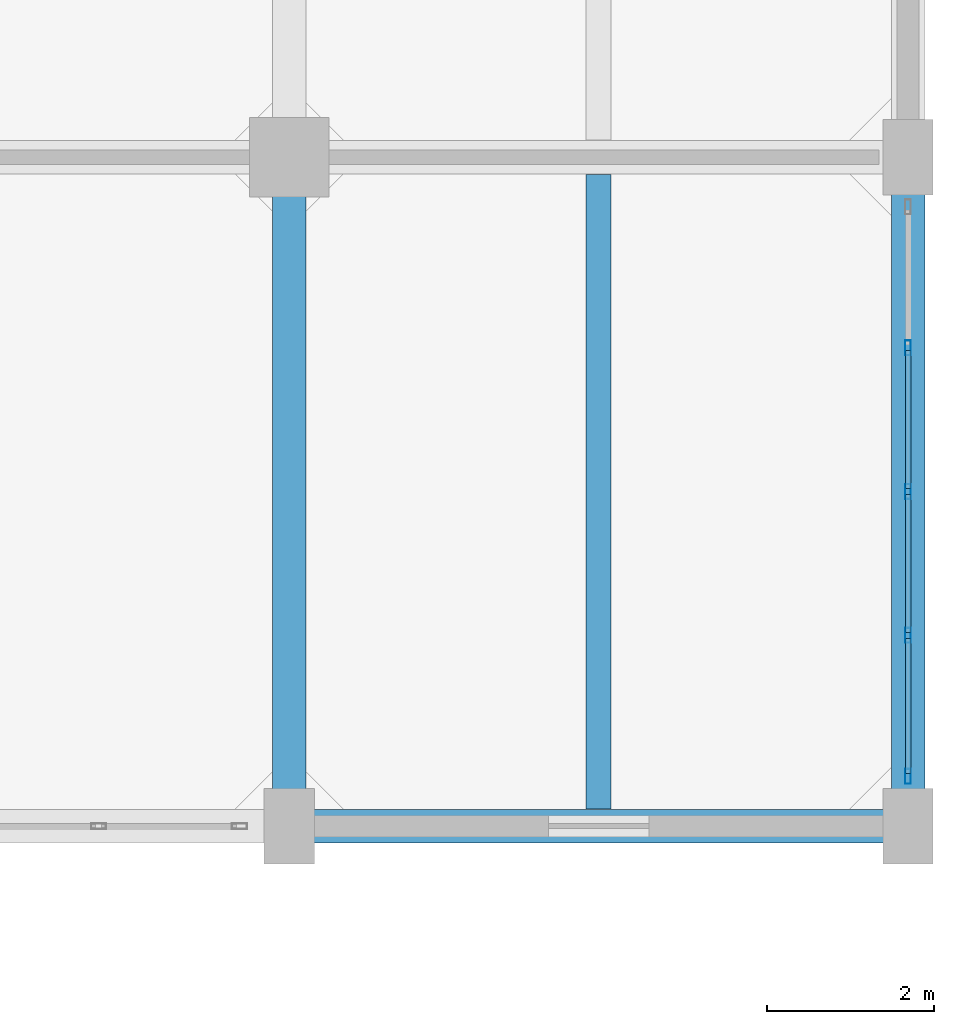
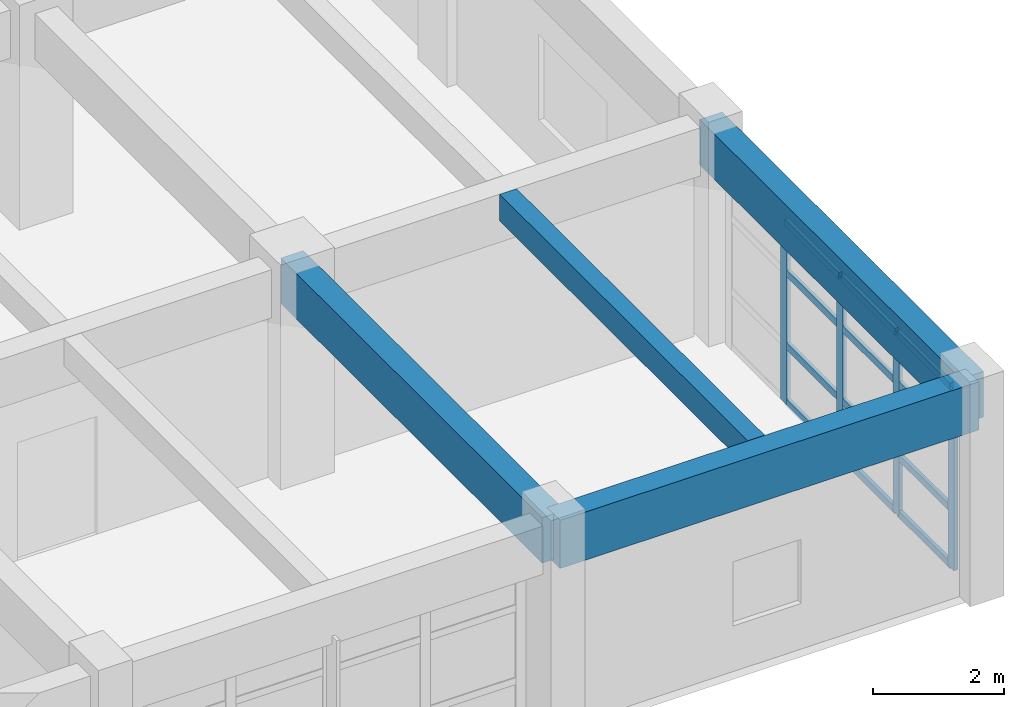
# One storey, part 13 of 35: 16 members, 4 beams, 1 element without a shape of its own.
"""IFC4 building model written with IfcOpenShell, lengths in metres."""

from ifc_helpers import new_model, si_unit, direction, frame, origin, origin_2d, place, context, subcontext, project, spatial, rectangle, hollow_rectangle, extrude, material, layer, layer_set, material_profile, profile_set, type_object, element, aggregate, save


model = new_model("IFC4")

# Units and contexts
model_context = context("Model", 3, precision=1e-05, world=origin(), true_north=direction((0.0, 1.0)))
body_context = subcontext(model_context, "Body", "Model", "MODEL_VIEW")
ifc_project = project(units=[si_unit("LENGTHUNIT", "METRE"), si_unit("AREAUNIT", "SQUARE_METRE"), si_unit("VOLUMEUNIT", "CUBIC_METRE"), si_unit("PLANEANGLEUNIT", "RADIAN"), si_unit("MASSUNIT", "GRAM", prefix="KILO")], contexts=[model_context])

# Site, building, storey
site_placement = place(None, origin())
site = spatial("IfcSite", under=ifc_project, at=site_placement, CompositionType="ELEMENT")
building_placement = place(site_placement, origin())
building = spatial("IfcBuilding", under=site, at=building_placement, Name="Canggui Botanical Conservatory", CompositionType="ELEMENT")
storey_placement = place(building_placement, frame((0.0, 0.0, 15.0)))
storey = spatial("IfcBuildingStorey", under=building, at=storey_placement, Name="L04", CompositionType="ELEMENT", Elevation=15.0)

# Beams
ifc_material_1 = material(Name="Concrete C35", Category="concrete")
ifc_material_profile_1 = material_profile(ifc_material_1, rectangle(XDim=0.300048828125, YDim=0.5, at=origin_2d()), Name="RB 300x500")
ifc_profile_set_1 = profile_set([ifc_material_profile_1], Name="Concrete C35")
beam_type_1 = type_object("IfcBeamType", Name="BM-JST02", PredefinedType="JOIST", material=ifc_profile_set_1)
beam_1_placement = place(storey_placement, frame((173.699951171875, 26.205078125, 3.699951171875), z_axis=(0.0, 1.0, 0.0), x_axis=(-1.0, 0.0, 0.0)))
element("IfcBeam", 1, at=beam_1_placement, inside=storey, type_object=beam_type_1, Name="Secondary Floor Joist L04-5-1", PredefinedType="JOIST", context=body_context, shape_type="SweptSolid", body=[
    extrude(rectangle(XDim=0.300048828125, YDim=0.5, at=origin_2d()), origin(), (0.0, 0.0, 1.0), 7.58984375),
])
ifc_material_profile_2 = material_profile(ifc_material_1, rectangle(XDim=0.39990234375, YDim=0.89990234375, at=origin_2d()), Name="RB 400x900")
ifc_profile_set_2 = profile_set([ifc_material_profile_2], Name="Concrete C35")
beam_type_2 = type_object("IfcBeamType", Name="BM-KL07", PredefinedType="BEAM", material=ifc_profile_set_2)
beam_2_placement = place(storey_placement, frame((170.0, 26.0, 3.5), z_axis=(1.0, 0.0, 0.0), x_axis=(0.0, 1.0, 0.0)))
element("IfcBeam", 2, at=beam_2_placement, inside=storey, type_object=beam_type_2, Name="Frame Girder L04 Y26-5", PredefinedType="BEAM", context=body_context, shape_type="SweptSolid", body=[
    extrude(rectangle(XDim=0.39990234375, YDim=0.89990234375, at=origin_2d()), origin(), (0.0, 0.0, 1.0), 7.39990234375),
])
ifc_material_profile_3 = material_profile(ifc_material_1, rectangle(XDim=0.39990234375, YDim=0.85009765625, at=origin_2d()), Name="RB 400x850")
ifc_profile_set_3 = profile_set([ifc_material_profile_3], Name="Concrete C35")
beam_type_3 = type_object("IfcBeamType", Name="BM-KL08", PredefinedType="BEAM", material=ifc_profile_set_3)
for number, where, z_axis, x_axis, name in (
    (3, (170.0, 26.0, 3.52490234375), (0.0, 1.0, 0.0), (-1.0, 0.0, 0.0), "Frame Girder L04 X170-1"),
    (4, (177.39990234375, 26.0, 3.52490234375), (0.0, 1.0, 0.0), (-1.0, 0.0, 0.0), "Frame Girder L04 X178-1"),
):
    element("IfcBeam", number, at=place(storey_placement, frame(where, z_axis=z_axis, x_axis=x_axis)), inside=storey, type_object=beam_type_3, Name=name, PredefinedType="BEAM", context=body_context, shape_type="SweptSolid", body=[
        extrude(rectangle(XDim=0.39990234375, YDim=0.85009765625, at=origin_2d()), origin(), (0.0, 0.0, 1.0), 8.0),
    ])

# Curtain wall, members
ifc_material_2 = material(Name="Thermally Broken Aluminium", Category="aluminium")
ifc_layer = layer(ifc_material_2, 0.179931640625, Name="Thermally Broken Aluminium", Category="aluminium")
ifc_layer_set = layer_set([ifc_layer], Name="Thermally Broken Aluminium")
curtain_wall_type = type_object("IfcCurtainWallType", Name="CW-UNIT-A", PredefinedType="USERDEFINED", material=ifc_layer_set)
curtain_wall_placement = place(storey_placement, origin())
curtain_wall = element("IfcCurtainWall", 5, at=curtain_wall_placement, inside=storey, type_object=curtain_wall_type, Name="Facade Curtain Wall CW-TWR-L04-24", ObjectType="UNITISED CURTAIN WALL", PredefinedType="USERDEFINED")
ifc_material_profile_4 = material_profile(ifc_material_2, hollow_rectangle(XDim=0.070068359375, YDim=0.179931640625, WallThickness=0.00390625, at=origin_2d()), Name="CWM 70x180x4")
ifc_profile_set_4 = profile_set([ifc_material_profile_4], Name="Thermally Broken Aluminium")
member_type_1 = type_object("IfcMemberType", Name="CWM-01", PredefinedType="MULLION", material=ifc_profile_set_4)
member_1_placement = place(storey_placement, frame((177.39990234375, 31.719970703125, 0.0), z_axis=(0.0, 0.0, 1.0), x_axis=(1.0, 0.0, 0.0)))
member_1 = element("IfcMember", 6, at=member_1_placement, type_object=member_type_1, Name="CW-01 mullion 2", PredefinedType="MULLION", context=body_context, shape_type="SweptSolid", body=[
    extrude(hollow_rectangle(XDim=0.070068359375, YDim=0.179931640625, WallThickness=0.00390625, at=origin_2d()), origin(), (0.0, 0.0, 1.0), 3.39990234375),
])
member_2_placement = place(storey_placement, frame((177.39990234375, 30.0, 0.0), z_axis=(0.0, 0.0, 1.0), x_axis=(1.0, 0.0, 0.0)))
member_2 = element("IfcMember", 7, at=member_2_placement, type_object=member_type_1, Name="CW-01 mullion 3", PredefinedType="MULLION", context=body_context, shape_type="SweptSolid", body=[
    extrude(hollow_rectangle(XDim=0.070068359375, YDim=0.179931640625, WallThickness=0.00390625, at=origin_2d()), origin(), (0.0, 0.0, 1.0), 3.39990234375),
])
member_3_placement = place(storey_placement, frame((177.39990234375, 28.280029296875, 0.0), z_axis=(0.0, 0.0, 1.0), x_axis=(1.0, 0.0, 0.0)))
member_3 = element("IfcMember", 8, at=member_3_placement, type_object=member_type_1, Name="CW-01 mullion 4", PredefinedType="MULLION", context=body_context, shape_type="SweptSolid", body=[
    extrude(hollow_rectangle(XDim=0.070068359375, YDim=0.179931640625, WallThickness=0.00390625, at=origin_2d()), origin(), (0.0, 0.0, 1.0), 3.39990234375),
])
member_4_placement = place(storey_placement, frame((177.39990234375, 26.594970703125, 0.0), z_axis=(0.0, 0.0, 1.0), x_axis=(1.0, 0.0, 0.0)))
member_4 = element("IfcMember", 9, at=member_4_placement, type_object=member_type_1, Name="CW-01 mullion 5", PredefinedType="MULLION", context=body_context, shape_type="SweptSolid", body=[
    extrude(hollow_rectangle(XDim=0.070068359375, YDim=0.179931640625, WallThickness=0.00390625, at=origin_2d()), origin(), (0.0, 0.0, 1.0), 3.39990234375),
])
ifc_material_profile_5 = material_profile(ifc_material_2, hollow_rectangle(XDim=0.06494140625, YDim=0.1298828125, WallThickness=0.00341796875, at=origin_2d()), Name="CWT 65x130x3.5")
ifc_profile_set_5 = profile_set([ifc_material_profile_5], Name="Thermally Broken Aluminium")
member_type_2 = type_object("IfcMemberType", Name="CWT-01", PredefinedType="USERDEFINED", material=ifc_profile_set_5)
member_5_placement = place(storey_placement, frame((177.39990234375, 31.68505859375, 0.032470703125), z_axis=(0.0, -1.0, 0.0), x_axis=(1.0, 0.0, 0.0)))
member_5 = element("IfcMember", 10, at=member_5_placement, type_object=member_type_2, Name="CW-01 transom 2.1", ObjectType="TRANSOM", PredefinedType="USERDEFINED", context=body_context, shape_type="SweptSolid", body=[
    extrude(hollow_rectangle(XDim=0.06494140625, YDim=0.1298828125, WallThickness=0.00341796875, at=origin_2d()), origin(), (0.0, 0.0, 1.0), 1.650146484375),
])
member_6_placement = place(storey_placement, frame((177.39990234375, 31.68505859375, 1.087890625), z_axis=(0.0, -1.0, 0.0), x_axis=(1.0, 0.0, 0.0)))
member_6 = element("IfcMember", 11, at=member_6_placement, type_object=member_type_2, Name="CW-01 transom 2.2", ObjectType="TRANSOM", PredefinedType="USERDEFINED", context=body_context, shape_type="SweptSolid", body=[
    extrude(hollow_rectangle(XDim=0.06494140625, YDim=0.1298828125, WallThickness=0.00341796875, at=origin_2d()), origin(), (0.0, 0.0, 1.0), 1.650146484375),
])
member_7_placement = place(storey_placement, frame((177.39990234375, 31.68505859375, 2.447998046875), z_axis=(0.0, -1.0, 0.0), x_axis=(1.0, 0.0, 0.0)))
member_7 = element("IfcMember", 12, at=member_7_placement, type_object=member_type_2, Name="CW-01 transom 2.3", ObjectType="TRANSOM", PredefinedType="USERDEFINED", context=body_context, shape_type="SweptSolid", body=[
    extrude(hollow_rectangle(XDim=0.06494140625, YDim=0.1298828125, WallThickness=0.00341796875, at=origin_2d()), origin(), (0.0, 0.0, 1.0), 1.650146484375),
])
member_8_placement = place(storey_placement, frame((177.39990234375, 31.68505859375, 3.367431640625), z_axis=(0.0, -1.0, 0.0), x_axis=(1.0, 0.0, 0.0)))
member_8 = element("IfcMember", 13, at=member_8_placement, type_object=member_type_2, Name="CW-01 transom 2.4", ObjectType="TRANSOM", PredefinedType="USERDEFINED", context=body_context, shape_type="SweptSolid", body=[
    extrude(hollow_rectangle(XDim=0.06494140625, YDim=0.1298828125, WallThickness=0.00341796875, at=origin_2d()), origin(), (0.0, 0.0, 1.0), 1.650146484375),
])
member_9_placement = place(storey_placement, frame((177.39990234375, 29.965087890625, 0.032470703125), z_axis=(0.0, -1.0, 0.0), x_axis=(1.0, 0.0, 0.0)))
member_9 = element("IfcMember", 14, at=member_9_placement, type_object=member_type_2, Name="CW-01 transom 3.1", ObjectType="TRANSOM", PredefinedType="USERDEFINED", context=body_context, shape_type="SweptSolid", body=[
    extrude(hollow_rectangle(XDim=0.06494140625, YDim=0.1298828125, WallThickness=0.00341796875, at=origin_2d()), origin(), (0.0, 0.0, 1.0), 1.650146484375),
])
member_10_placement = place(storey_placement, frame((177.39990234375, 29.965087890625, 1.087890625), z_axis=(0.0, -1.0, 0.0), x_axis=(1.0, 0.0, 0.0)))
member_10 = element("IfcMember", 15, at=member_10_placement, type_object=member_type_2, Name="CW-01 transom 3.2", ObjectType="TRANSOM", PredefinedType="USERDEFINED", context=body_context, shape_type="SweptSolid", body=[
    extrude(hollow_rectangle(XDim=0.06494140625, YDim=0.1298828125, WallThickness=0.00341796875, at=origin_2d()), origin(), (0.0, 0.0, 1.0), 1.650146484375),
])
member_11_placement = place(storey_placement, frame((177.39990234375, 29.965087890625, 2.447998046875), z_axis=(0.0, -1.0, 0.0), x_axis=(1.0, 0.0, 0.0)))
member_11 = element("IfcMember", 16, at=member_11_placement, type_object=member_type_2, Name="CW-01 transom 3.3", ObjectType="TRANSOM", PredefinedType="USERDEFINED", context=body_context, shape_type="SweptSolid", body=[
    extrude(hollow_rectangle(XDim=0.06494140625, YDim=0.1298828125, WallThickness=0.00341796875, at=origin_2d()), origin(), (0.0, 0.0, 1.0), 1.650146484375),
])
member_12_placement = place(storey_placement, frame((177.39990234375, 29.965087890625, 3.367431640625), z_axis=(0.0, -1.0, 0.0), x_axis=(1.0, 0.0, 0.0)))
member_12 = element("IfcMember", 17, at=member_12_placement, type_object=member_type_2, Name="CW-01 transom 3.4", ObjectType="TRANSOM", PredefinedType="USERDEFINED", context=body_context, shape_type="SweptSolid", body=[
    extrude(hollow_rectangle(XDim=0.06494140625, YDim=0.1298828125, WallThickness=0.00341796875, at=origin_2d()), origin(), (0.0, 0.0, 1.0), 1.650146484375),
])
member_13_placement = place(storey_placement, frame((177.39990234375, 28.2451171875, 0.032470703125), z_axis=(0.0, -1.0, 0.0), x_axis=(1.0, 0.0, 0.0)))
member_13 = element("IfcMember", 18, at=member_13_placement, type_object=member_type_2, Name="CW-01 transom 4.1", ObjectType="TRANSOM", PredefinedType="USERDEFINED", context=body_context, shape_type="SweptSolid", body=[
    extrude(hollow_rectangle(XDim=0.06494140625, YDim=0.1298828125, WallThickness=0.00341796875, at=origin_2d()), origin(), (0.0, 0.0, 1.0), 1.615234375),
])
member_14_placement = place(storey_placement, frame((177.39990234375, 28.2451171875, 1.087890625), z_axis=(0.0, -1.0, 0.0), x_axis=(1.0, 0.0, 0.0)))
member_14 = element("IfcMember", 19, at=member_14_placement, type_object=member_type_2, Name="CW-01 transom 4.2", ObjectType="TRANSOM", PredefinedType="USERDEFINED", context=body_context, shape_type="SweptSolid", body=[
    extrude(hollow_rectangle(XDim=0.06494140625, YDim=0.1298828125, WallThickness=0.00341796875, at=origin_2d()), origin(), (0.0, 0.0, 1.0), 1.615234375),
])
member_15_placement = place(storey_placement, frame((177.39990234375, 28.2451171875, 2.447998046875), z_axis=(0.0, -1.0, 0.0), x_axis=(1.0, 0.0, 0.0)))
member_15 = element("IfcMember", 20, at=member_15_placement, type_object=member_type_2, Name="CW-01 transom 4.3", ObjectType="TRANSOM", PredefinedType="USERDEFINED", context=body_context, shape_type="SweptSolid", body=[
    extrude(hollow_rectangle(XDim=0.06494140625, YDim=0.1298828125, WallThickness=0.00341796875, at=origin_2d()), origin(), (0.0, 0.0, 1.0), 1.615234375),
])
member_16_placement = place(storey_placement, frame((177.39990234375, 28.2451171875, 3.367431640625), z_axis=(0.0, -1.0, 0.0), x_axis=(1.0, 0.0, 0.0)))
member_16 = element("IfcMember", 21, at=member_16_placement, type_object=member_type_2, Name="CW-01 transom 4.4", ObjectType="TRANSOM", PredefinedType="USERDEFINED", context=body_context, shape_type="SweptSolid", body=[
    extrude(hollow_rectangle(XDim=0.06494140625, YDim=0.1298828125, WallThickness=0.00341796875, at=origin_2d()), origin(), (0.0, 0.0, 1.0), 1.615234375),
])
aggregate(curtain_wall, [member_1, member_2, member_3, member_4, member_5, member_6, member_7, member_8, member_9, member_10, member_11, member_12, member_13, member_14, member_15, member_16])

save(model, "model.ifc")
